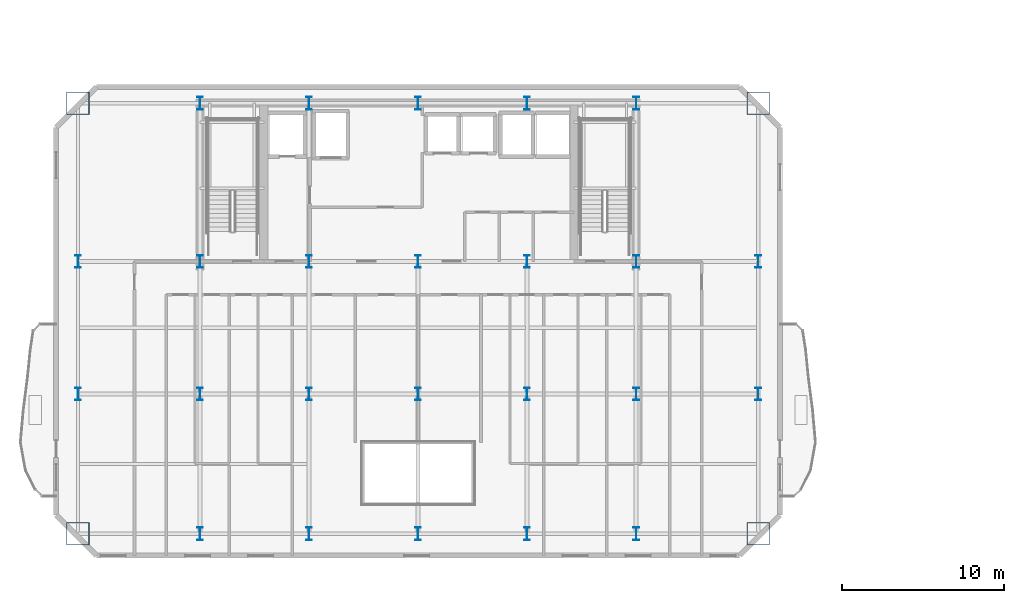
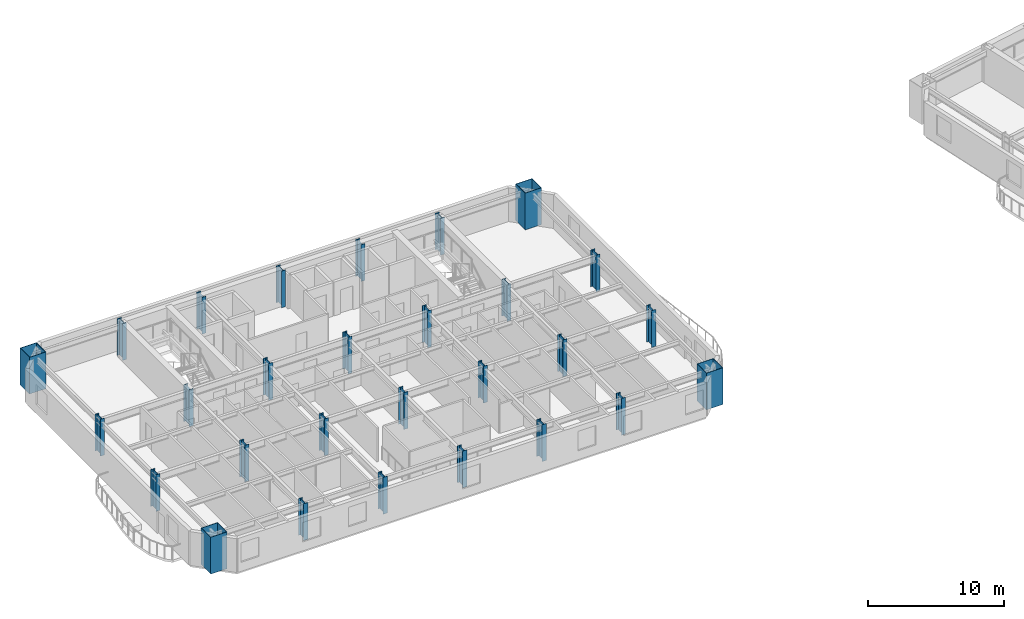
# One storey, part 1 of 14: 28 columns.
"""IFC4 building model written with IfcOpenShell, lengths in metres."""

from ifc_helpers import new_model, si_unit, direction, frame, origin, origin_2d, place, context, subcontext, project, spatial, hollow_rectangle, i_section, extrude, material, material_profile, profile_set, type_object, element, save


model = new_model("IFC4")

# Units and contexts
model_context = context("Model", 3, precision=1e-05, world=origin(), true_north=direction((0.0, 1.0)))
body_context = subcontext(model_context, "Body", "Model", "MODEL_VIEW")
ifc_project = project(units=[si_unit("LENGTHUNIT", "METRE"), si_unit("AREAUNIT", "SQUARE_METRE"), si_unit("VOLUMEUNIT", "CUBIC_METRE"), si_unit("PLANEANGLEUNIT", "RADIAN"), si_unit("MASSUNIT", "GRAM", prefix="KILO")], contexts=[model_context])

# Site, building, storey
site_placement = place(None, origin())
site = spatial("IfcSite", under=ifc_project, at=site_placement, CompositionType="ELEMENT")
building_placement = place(site_placement, origin())
building = spatial("IfcBuilding", under=site, at=building_placement, Name="Haevon Station Towers", CompositionType="ELEMENT")
storey_placement = place(building_placement, frame((0.0, 0.0, 119.699951171875)))
storey = spatial("IfcBuildingStorey", under=building, at=storey_placement, Name="L32", CompositionType="ELEMENT", Elevation=119.699951171875)

# Columns
ifc_material = material(Name="Steel S460", Category="steel")
ifc_material_profile_1 = material_profile(ifc_material, hollow_rectangle(XDim=1.39990234375, YDim=1.39990234375, WallThickness=0.035888671875, at=origin_2d()), Name="BOX-1400x1400x36")
ifc_profile_set_1 = profile_set([ifc_material_profile_1], Name="Steel S460")
column_type_1 = type_object("IfcColumnType", Name="COL-MC3", PredefinedType="COLUMN", material=ifc_profile_set_1)
for number, where, z_axis, x_axis, name in (
    (1, (16.449951171875, 21.35009765625, 0.0), (0.0, 0.0, 1.0), (1.0, 0.0, 0.0), "COL-T1-L32-01-01"),
    (2, (16.449951171875, 48.0, 0.0), (0.0, 0.0, 1.0), (1.0, 0.0, 0.0), "COL-T1-L32-01-04"),
    (3, (58.550048828125, 21.35009765625, 0.0), (0.0, 0.0, 1.0), (1.0, 0.0, 0.0), "COL-T1-L32-07-01"),
    (4, (58.550048828125, 48.0, 0.0), (0.0, 0.0, 1.0), (1.0, 0.0, 0.0), "COL-T1-L32-07-04"),
):
    element("IfcColumn", number, at=place(storey_placement, frame(where, z_axis=z_axis, x_axis=x_axis)), inside=storey, type_object=column_type_1, Name=name, PredefinedType="COLUMN", context=body_context, shape_type="SweptSolid", body=[
        extrude(hollow_rectangle(XDim=1.39990234375, YDim=1.39990234375, WallThickness=0.035888671875, at=origin_2d()), origin(), (0.0, 0.0, 1.0), 3.300048828125),
    ])
ifc_material_profile_2 = material_profile(ifc_material, i_section(OverallWidth=0.35009765625, OverallDepth=0.800048828125, WebThickness=0.01806640625, FlangeThickness=0.031982421875, at=origin_2d()), Name="H-800x350x18x32")
ifc_profile_set_2 = profile_set([ifc_material_profile_2], Name="Steel S460")
column_type_2 = type_object("IfcColumnType", Name="COL-TW2", PredefinedType="COLUMN", material=ifc_profile_set_2)
for number, where, z_axis, x_axis, name in (
    (5, (16.449951171875, 30.0, 0.0), (0.0, 0.0, 1.0), (1.0, 0.0, 0.0), "COL-T1-L32-01-02"),
    (6, (16.449951171875, 38.199951171875, 0.0), (0.0, 0.0, 1.0), (1.0, 0.0, 0.0), "COL-T1-L32-01-03"),
    (7, (24.0, 21.35009765625, 0.0), (0.0, 0.0, 1.0), (1.0, 0.0, 0.0), "COL-T1-L32-02-01"),
    (8, (24.0, 30.0, 0.0), (0.0, 0.0, 1.0), (1.0, 0.0, 0.0), "COL-T1-L32-02-02"),
    (9, (24.0, 38.199951171875, 0.0), (0.0, 0.0, 1.0), (1.0, 0.0, 0.0), "COL-T1-L32-02-03"),
    (10, (24.0, 48.0, 0.0), (0.0, 0.0, 1.0), (1.0, 0.0, 0.0), "COL-T1-L32-02-04"),
    (11, (30.75, 21.35009765625, 0.0), (0.0, 0.0, 1.0), (1.0, 0.0, 0.0), "COL-T1-L32-03-01"),
    (12, (30.75, 30.0, 0.0), (0.0, 0.0, 1.0), (1.0, 0.0, 0.0), "COL-T1-L32-03-02"),
    (13, (30.75, 38.199951171875, 0.0), (0.0, 0.0, 1.0), (1.0, 0.0, 0.0), "COL-T1-L32-03-03"),
    (14, (30.75, 48.0, 0.0), (0.0, 0.0, 1.0), (1.0, 0.0, 0.0), "COL-T1-L32-03-04"),
    (15, (37.5, 21.35009765625, 0.0), (0.0, 0.0, 1.0), (1.0, 0.0, 0.0), "COL-T1-L32-04-01"),
    (16, (37.5, 30.0, 0.0), (0.0, 0.0, 1.0), (1.0, 0.0, 0.0), "COL-T1-L32-04-02"),
    (17, (37.5, 38.199951171875, 0.0), (0.0, 0.0, 1.0), (1.0, 0.0, 0.0), "COL-T1-L32-04-03"),
    (18, (37.5, 48.0, 0.0), (0.0, 0.0, 1.0), (1.0, 0.0, 0.0), "COL-T1-L32-04-04"),
    (19, (44.25, 21.35009765625, 0.0), (0.0, 0.0, 1.0), (1.0, 0.0, 0.0), "COL-T1-L32-05-01"),
    (20, (44.25, 30.0, 0.0), (0.0, 0.0, 1.0), (1.0, 0.0, 0.0), "COL-T1-L32-05-02"),
    (21, (44.25, 38.199951171875, 0.0), (0.0, 0.0, 1.0), (1.0, 0.0, 0.0), "COL-T1-L32-05-03"),
    (22, (44.25, 48.0, 0.0), (0.0, 0.0, 1.0), (1.0, 0.0, 0.0), "COL-T1-L32-05-04"),
    (23, (51.0, 21.35009765625, 0.0), (0.0, 0.0, 1.0), (1.0, 0.0, 0.0), "COL-T1-L32-06-01"),
    (24, (51.0, 30.0, 0.0), (0.0, 0.0, 1.0), (1.0, 0.0, 0.0), "COL-T1-L32-06-02"),
    (25, (51.0, 38.199951171875, 0.0), (0.0, 0.0, 1.0), (1.0, 0.0, 0.0), "COL-T1-L32-06-03"),
    (26, (51.0, 48.0, 0.0), (0.0, 0.0, 1.0), (1.0, 0.0, 0.0), "COL-T1-L32-06-04"),
    (27, (58.550048828125, 30.0, 0.0), (0.0, 0.0, 1.0), (1.0, 0.0, 0.0), "COL-T1-L32-07-02"),
    (28, (58.550048828125, 38.199951171875, 0.0), (0.0, 0.0, 1.0), (1.0, 0.0, 0.0), "COL-T1-L32-07-03"),
):
    element("IfcColumn", number, at=place(storey_placement, frame(where, z_axis=z_axis, x_axis=x_axis)), inside=storey, type_object=column_type_2, Name=name, PredefinedType="COLUMN", context=body_context, shape_type="SweptSolid", body=[
        extrude(i_section(OverallWidth=0.35009765625, OverallDepth=0.800048828125, WebThickness=0.01806640625, FlangeThickness=0.031982421875, at=origin_2d()), origin(), (0.0, 0.0, 1.0), 3.300048828125),
    ])

save(model, "model.ifc")
